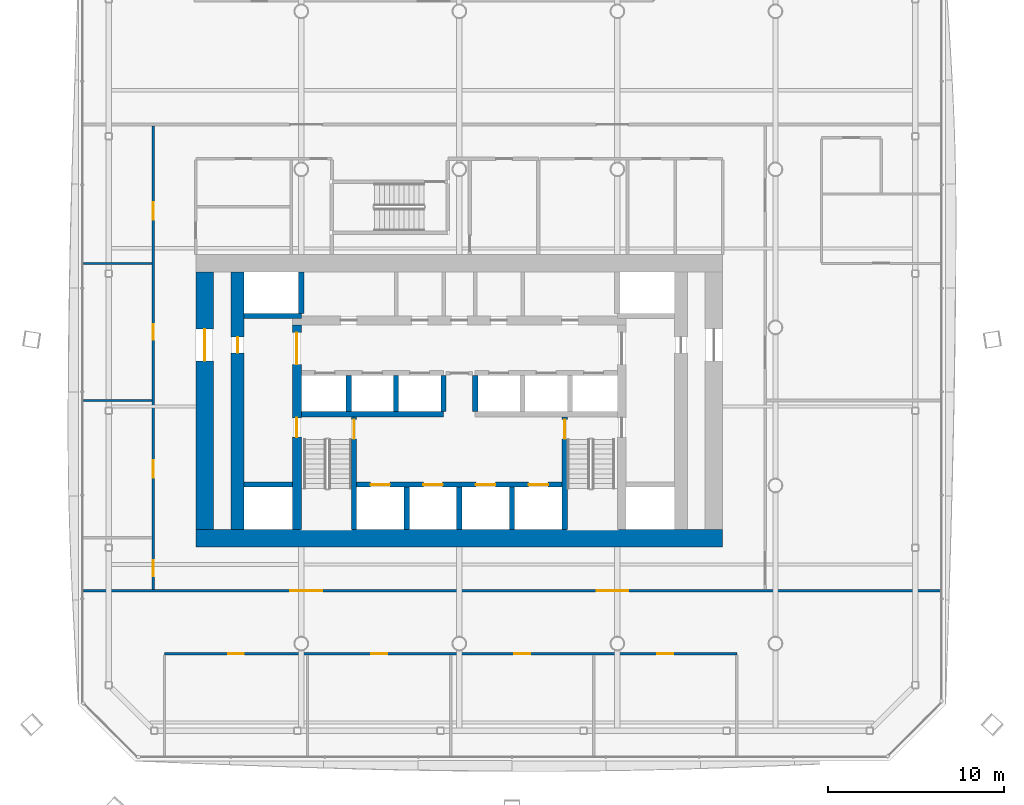
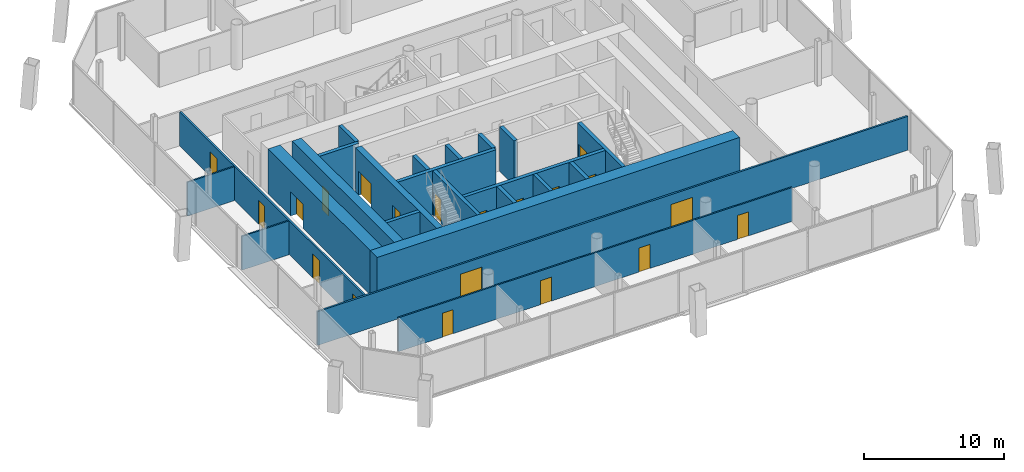
# One storey, part 11 of 19: 23 walls, 20 doors, 20 openings.
"""IFC4 building model written with IfcOpenShell, lengths in metres."""

import ifcopenshell
import ifcopenshell.guid

model = None  # the IFC model being written
_history = None  # IfcOwnerHistory: only IFC2X3 demands one
_inside = {}  # id of a spatial element -> (the spatial element, [elements in it])
_under = {}  # id of a project, library or spatial element -> (it, [spatial elements below it])
_declared = {}  # id of a project -> (the project, [libraries it declares])
_typed = {}  # id of a type object -> (the type object, [elements of that type])
_made_of = {}  # id of a material, layer set ... -> (it, [elements and type objects made of it])


def new_model(schema):
    """Start an empty IFC model of exactly this schema.

    Asked for "IFC4X3", IfcOpenShell would pick the latest addendum, in which some entities
    have other attributes; the version numbers below select the first issue.
    IFC2X3 requires an IfcOwnerHistory on every rooted entity: one is made here for all.
    """
    global model, _history
    if schema == "IFC4X3":
        model = ifcopenshell.file(schema_version=(4, 3, 0, 0))
    else:
        model = ifcopenshell.file(schema=schema)
    _inside.clear()
    _under.clear()
    _declared.clear()
    _typed.clear()
    _made_of.clear()
    _history = None
    if model.schema == "IFC2X3":
        org = make("IfcOrganization", Name="unknown")
        user = make(
            "IfcPersonAndOrganization",
            ThePerson=make("IfcPerson", FamilyName="unknown"),
            TheOrganization=org,
        )
        app = make(
            "IfcApplication",
            ApplicationDeveloper=org,
            Version="unknown",
            ApplicationFullName="unknown",
            ApplicationIdentifier="unknown",
        )
        _history = make(
            "IfcOwnerHistory",
            OwningUser=user,
            OwningApplication=app,
            ChangeAction="ADDED",
            CreationDate=0,
        )
    return model


def make(cls, **values):
    """One entity of the class cls with the attributes given. An attribute that is None is left unset."""
    return model.create_entity(
        cls, **{name: value for name, value in values.items() if value is not None}
    )


def rooted(cls, **values):
    """An entity with a GlobalId (a new one), such as an element, a storey or a relation."""
    return make(cls, GlobalId=ifcopenshell.guid.new(), OwnerHistory=_history, **values)


def si_unit(unit_type, name, prefix=None):
    """IfcSIUnit, for example si_unit("LENGTHUNIT", "METRE", prefix="MILLI")."""
    return make("IfcSIUnit", UnitType=unit_type, Prefix=prefix, Name=name)


def assignment(units):
    """IfcUnitAssignment: the units of a project."""
    return None if units is None else make("IfcUnitAssignment", Units=units)


def point(xyz):
    """IfcCartesianPoint."""
    return None if xyz is None else make("IfcCartesianPoint", Coordinates=xyz)


def direction(xyz):
    """IfcDirection."""
    return None if xyz is None else make("IfcDirection", DirectionRatios=xyz)


def frame(location, z_axis=None, x_axis=None):
    """IfcAxis2Placement3D, a coordinate frame: its origin and axes. An axis left out is left unset."""
    return make(
        "IfcAxis2Placement3D",
        Location=point(location),
        Axis=direction(z_axis),
        RefDirection=direction(x_axis),
    )


def frame_2d(location, x_axis=None):
    """IfcAxis2Placement2D, a coordinate frame in the plane: its origin and x axis."""
    return make(
        "IfcAxis2Placement2D", Location=point(location), RefDirection=direction(x_axis)
    )


def origin():
    """The frame at (0, 0, 0) with its axes left unset."""
    return frame((0.0, 0.0, 0.0))


def place(relative_to, where):
    """IfcLocalPlacement: puts the frame where relative to a parent placement (None: the world)."""
    return make(
        "IfcLocalPlacement", PlacementRelTo=relative_to, RelativePlacement=where
    )


def context(
    kind, dimensions, precision=None, world=None, true_north=None, identifier=None
):
    """IfcGeometricRepresentationContext, for example the 3D "Model" context."""
    return make(
        "IfcGeometricRepresentationContext",
        ContextIdentifier=identifier,
        ContextType=kind,
        CoordinateSpaceDimension=dimensions,
        Precision=precision,
        WorldCoordinateSystem=world,
        TrueNorth=true_north,
    )


def subcontext(parent, identifier, kind, view, scale=None):
    """IfcGeometricRepresentationSubContext, for example "Body" below "Model"."""
    return make(
        "IfcGeometricRepresentationSubContext",
        ContextIdentifier=identifier,
        ContextType=kind,
        ParentContext=parent,
        TargetScale=scale,
        TargetView=view,
    )


def project(units=None, contexts=None):
    """IfcProject with its units and contexts."""
    return rooted(
        "IfcProject",
        Name="project",
        RepresentationContexts=contexts,
        UnitsInContext=assignment(units),
    )


def spatial(cls, under=None, at=None, **own):
    """A site, building, storey or space (cls), placed at a placement, below another one or the project."""
    s = rooted(cls, ObjectPlacement=at, **own)
    if under is not None:
        _under.setdefault(under.id(), (under, []))[1].append(s)
    return s


def profile(cls, at=None, kind="AREA", **sizes):
    """A parametric profile (cls). Its sizes go by their IFC names, for example OverallWidth=200.0."""
    return make(cls, ProfileType=kind, Position=at, **sizes)


def rectangle(**sizes):
    """IfcRectangleProfileDef."""
    return profile("IfcRectangleProfileDef", **sizes)


def extrude(swept, where, along, depth):
    """IfcExtrudedAreaSolid: the profile swept, set in the frame where, extruded along a direction by depth."""
    return make(
        "IfcExtrudedAreaSolid",
        SweptArea=swept,
        Position=where,
        ExtrudedDirection=direction(along),
        Depth=depth,
    )


def shape(context_of_items, identifier, shape_type, items):
    """IfcShapeRepresentation: the items that make up one representation, for example the "Body"."""
    return make(
        "IfcShapeRepresentation",
        ContextOfItems=context_of_items,
        RepresentationIdentifier=identifier,
        RepresentationType=shape_type,
        Items=items,
    )


def material(Name=None, Category=None):
    """IfcMaterial."""
    return make("IfcMaterial", Name=Name, Category=Category)


def layer(
    of_material, thickness, ventilated=None, Name=None, Category=None, Priority=None
):
    """IfcMaterialLayer: one layer of a wall or slab, of a material (None: an air gap)."""
    return make(
        "IfcMaterialLayer",
        Material=of_material,
        LayerThickness=thickness,
        IsVentilated=ventilated,
        Name=Name,
        Category=Category,
        Priority=Priority,
    )


def layer_set(layers, Name=None):
    """IfcMaterialLayerSet."""
    return make("IfcMaterialLayerSet", MaterialLayers=layers, LayerSetName=Name)


def made_of(thing, what):
    """Note that an element or type object is made of a material, layer set ...; save() writes the relation."""
    if what is not None:
        _made_of.setdefault(what.id(), (what, []))[1].append(thing)
    return thing


def type_object(cls, material=None, **own):
    """A type object (cls), such as IfcWallType, which elements share."""
    return made_of(rooted(cls, **own), material)


def element(
    cls,
    number,
    at=None,
    inside=None,
    cuts=None,
    type_object=None,
    material=None,
    context=None,
    identifier="Body",
    shape_type=None,
    held_by="IfcProductDefinitionShape",
    body=None,
    shapes=None,
    **own,
):
    """One element of the class cls, such as IfcWall. Its Tag is "e" and its number.

    at: its placement. inside: the storey or other place that contains it. cuts: it is an
    opening in that element (IfcRelVoidsElement). A single representation is given by context,
    identifier, shape_type and body (its items); several are given by shapes. held_by: the class
    of the entity that holds the representations. save() writes the other relations.
    """
    e = rooted(cls, Tag="e%d" % number, ObjectPlacement=at, **own)
    if body is not None:
        shapes = [shape(context, identifier, shape_type, body)]
    if shapes is not None:
        e.Representation = make(held_by, Representations=shapes)
    if inside is not None:
        _inside.setdefault(inside.id(), (inside, []))[1].append(e)
    if cuts is not None:
        rooted(
            "IfcRelVoidsElement", RelatingBuildingElement=cuts, RelatedOpeningElement=e
        )
    if type_object is not None:
        _typed.setdefault(type_object.id(), (type_object, []))[1].append(e)
    return made_of(e, material)


def fill(opening, filler):
    """IfcRelFillsElement: the door or window that sits in an opening."""
    return rooted(
        "IfcRelFillsElement",
        RelatingOpeningElement=opening,
        RelatedBuildingElement=filler,
    )


def aggregate(whole, parts):
    """IfcRelAggregates: a whole, such as a stair, and the parts it consists of."""
    return rooted("IfcRelAggregates", RelatingObject=whole, RelatedObjects=parts)


def save(model, path):
    """Write the relations noted so far, then the file.

    IfcRelAggregates (storeys below a building ...), IfcRelContainedInSpatialStructure (elements
    in a storey), IfcRelDefinesByType, IfcRelAssociatesMaterial and IfcRelDeclares: one each for
    every whole, place, type object, material and project.
    """
    for whole, parts in _under.values():
        aggregate(whole, parts)
    for where, things in _inside.values():
        rooted(
            "IfcRelContainedInSpatialStructure",
            RelatedElements=things,
            RelatingStructure=where,
        )
    for kind, things in _typed.values():
        rooted("IfcRelDefinesByType", RelatedObjects=things, RelatingType=kind)
    for what, things in _made_of.values():
        rooted("IfcRelAssociatesMaterial", RelatedObjects=things, RelatingMaterial=what)
    for by, libraries in _declared.values():
        rooted("IfcRelDeclares", RelatingContext=by, RelatedDefinitions=libraries)
    model.write(path)


model = new_model("IFC4")

# Units and contexts
model_context = context("Model", 3, precision=1e-05, world=origin(), true_north=direction((0.0, 1.0)))
body_context = subcontext(model_context, "Body", "Model", "MODEL_VIEW")
ifc_project = project(units=[si_unit("LENGTHUNIT", "METRE"), si_unit("AREAUNIT", "SQUARE_METRE"), si_unit("VOLUMEUNIT", "CUBIC_METRE"), si_unit("PLANEANGLEUNIT", "RADIAN"), si_unit("MASSUNIT", "GRAM", prefix="KILO")], contexts=[model_context])

# Site, building, storey
site_placement = place(None, origin())
site = spatial("IfcSite", under=ifc_project, at=site_placement, CompositionType="ELEMENT")
building_placement = place(site_placement, origin())
building = spatial("IfcBuilding", under=site, at=building_placement, Name="Tskaro Facet Tower", CompositionType="ELEMENT")
storey_placement = place(building_placement, frame((0.0, 0.0, 89.39990234375)))
storey = spatial("IfcBuildingStorey", under=building, at=storey_placement, Name="L21", CompositionType="ELEMENT", Elevation=89.39990234375)

# Wall
ifc_material_1 = material(Name="Concrete C60/75", Category="concrete")
ifc_layer_1 = layer(ifc_material_1, 0.300048828125, Name="Concrete C60/75")
ifc_layer_set_1 = layer_set([ifc_layer_1], Name="Concrete C60/75")
wall_type_1 = type_object("IfcWallType", Name="CORE-SHAFT", PredefinedType="SHEAR", material=ifc_layer_set_1)
wall_1_placement = place(storey_placement, frame((-12.25, -8.949951171875, 0.0), z_axis=(0.0, 0.0, 1.0), x_axis=(1.0, 0.0, 0.0)))
element("IfcWall", 1, at=wall_1_placement, inside=storey, type_object=wall_type_1, Name="Shaft wall W004", PredefinedType="SHEAR", context=body_context, shape_type="SweptSolid", body=[
    extrude(rectangle(XDim=2.75, YDim=0.300048828125, at=frame_2d((1.375, 0.0))), origin(), (0.0, 0.0, 1.0), 3.900146484375),
])

# Wall, openings, doors
wall_2_placement = place(storey_placement, frame((-5.85009765625, -8.949951171875, 0.0), z_axis=(0.0, 0.0, 1.0), x_axis=(1.0, 0.0, 0.0)))
wall_2 = element("IfcWall", 2, at=wall_2_placement, inside=storey, type_object=wall_type_1, Name="Shaft wall W005", PredefinedType="SHEAR", context=body_context, shape_type="SweptSolid", body=[
    extrude(rectangle(XDim=11.7001953125, YDim=0.300048828125, at=frame_2d((5.85009765625, 0.0))), origin(), (0.0, 0.0, 1.0), 3.900146484375),
])
opening_1_placement = place(wall_2_placement, frame((0.800048828125, 0.0, 0.0)))
opening_1 = element("IfcOpeningElement", 3, at=opening_1_placement, cuts=wall_2, Name="Opening LD-FF1", PredefinedType="OPENING", context=body_context, shape_type="SweptSolid", body=[
    extrude(rectangle(XDim=1.10009765625, YDim=2.10009765625, at=frame_2d((0.550048828125, 1.050048828125))), frame((0.0, 0.159912109375, 0.0), z_axis=(0.0, -1.0, 0.0), x_axis=(1.0, 0.0, 0.0)), (0.0, 0.0, 1.0), 0.320068359375),
])
opening_2_placement = place(wall_2_placement, frame((3.800048828125, 0.0, 0.0)))
opening_2 = element("IfcOpeningElement", 4, at=opening_2_placement, cuts=wall_2, Name="Opening LD-FF2", PredefinedType="OPENING", context=body_context, shape_type="SweptSolid", body=[
    extrude(rectangle(XDim=1.10009765625, YDim=2.10009765625, at=frame_2d((0.550048828125, 1.050048828125))), frame((0.0, 0.159912109375, 0.0), z_axis=(0.0, -1.0, 0.0), x_axis=(1.0, 0.0, 0.0)), (0.0, 0.0, 1.0), 0.320068359375),
])
opening_3_placement = place(wall_2_placement, frame((6.800048828125, 0.0, 0.0)))
opening_3 = element("IfcOpeningElement", 5, at=opening_3_placement, cuts=wall_2, Name="Opening LD-SV1", PredefinedType="OPENING", context=body_context, shape_type="SweptSolid", body=[
    extrude(rectangle(XDim=1.10009765625, YDim=2.10009765625, at=frame_2d((0.550048828125, 1.050048828125))), frame((0.0, 0.159912109375, 0.0), z_axis=(0.0, -1.0, 0.0), x_axis=(1.0, 0.0, 0.0)), (0.0, 0.0, 1.0), 0.320068359375),
])
opening_4_placement = place(wall_2_placement, frame((9.800048828125, 0.0, 0.0)))
opening_4 = element("IfcOpeningElement", 6, at=opening_4_placement, cuts=wall_2, Name="Opening LD-SV2", PredefinedType="OPENING", context=body_context, shape_type="SweptSolid", body=[
    extrude(rectangle(XDim=1.10009765625, YDim=2.10009765625, at=frame_2d((0.550048828125, 1.050048828125))), frame((0.0, 0.159912109375, 0.0), z_axis=(0.0, -1.0, 0.0), x_axis=(1.0, 0.0, 0.0)), (0.0, 0.0, 1.0), 0.320068359375),
])
ifc_material_2 = material(Name="Stainless steel", Category="steel")
door_type_1 = type_object("IfcDoorType", Name="D-LANDING", OperationType="NOTDEFINED", PredefinedType="DOOR", material=ifc_material_2)
door_1_placement = place(opening_1_placement, origin())
door_1 = element("IfcDoor", 7, at=door_1_placement, inside=storey, type_object=door_type_1, Name="Landing door FF1", OperationType="DOUBLE_DOOR_SLIDING", OverallHeight=2.10009765625, OverallWidth=1.10009765625, PredefinedType="DOOR", context=body_context, shape_type="SweptSolid", body=[
    extrude(rectangle(XDim=1.10009765625, YDim=2.10009765625, at=frame_2d((0.550048828125, 1.050048828125))), frame((0.0, 0.02490234375, 0.0), z_axis=(0.0, -1.0, 0.0), x_axis=(1.0, 0.0, 0.0)), (0.0, 0.0, 1.0), 0.050048828125),
])
fill(opening_1, door_1)
door_2_placement = place(opening_2_placement, origin())
door_2 = element("IfcDoor", 8, at=door_2_placement, inside=storey, type_object=door_type_1, Name="Landing door FF2", OperationType="DOUBLE_DOOR_SLIDING", OverallHeight=2.10009765625, OverallWidth=1.10009765625, PredefinedType="DOOR", context=body_context, shape_type="SweptSolid", body=[
    extrude(rectangle(XDim=1.10009765625, YDim=2.10009765625, at=frame_2d((0.550048828125, 1.050048828125))), frame((0.0, 0.02490234375, 0.0), z_axis=(0.0, -1.0, 0.0), x_axis=(1.0, 0.0, 0.0)), (0.0, 0.0, 1.0), 0.050048828125),
])
fill(opening_2, door_2)
door_3_placement = place(opening_3_placement, origin())
door_3 = element("IfcDoor", 9, at=door_3_placement, inside=storey, type_object=door_type_1, Name="Landing door SV1", OperationType="DOUBLE_DOOR_SLIDING", OverallHeight=2.10009765625, OverallWidth=1.10009765625, PredefinedType="DOOR", context=body_context, shape_type="SweptSolid", body=[
    extrude(rectangle(XDim=1.10009765625, YDim=2.10009765625, at=frame_2d((0.550048828125, 1.050048828125))), frame((0.0, 0.02490234375, 0.0), z_axis=(0.0, -1.0, 0.0), x_axis=(1.0, 0.0, 0.0)), (0.0, 0.0, 1.0), 0.050048828125),
])
fill(opening_3, door_3)
door_4_placement = place(opening_4_placement, origin())
door_4 = element("IfcDoor", 10, at=door_4_placement, inside=storey, type_object=door_type_1, Name="Landing door SV2", OperationType="DOUBLE_DOOR_SLIDING", OverallHeight=2.10009765625, OverallWidth=1.10009765625, PredefinedType="DOOR", context=body_context, shape_type="SweptSolid", body=[
    extrude(rectangle(XDim=1.10009765625, YDim=2.10009765625, at=frame_2d((0.550048828125, 1.050048828125))), frame((0.0, 0.02490234375, 0.0), z_axis=(0.0, -1.0, 0.0), x_axis=(1.0, 0.0, 0.0)), (0.0, 0.0, 1.0), 0.050048828125),
])
fill(opening_4, door_4)

# Walls
wall_3_placement = place(storey_placement, frame((-9.0, -4.949951171875, 0.0), z_axis=(0.0, 0.0, 1.0), x_axis=(1.0, 0.0, 0.0)))
element("IfcWall", 11, at=wall_3_placement, inside=storey, type_object=wall_type_1, Name="Shaft wall W007", PredefinedType="SHEAR", context=body_context, shape_type="SweptSolid", body=[
    extrude(rectangle(XDim=8.10009765625, YDim=0.300048828125, at=frame_2d((4.050048828125, 0.0))), origin(), (0.0, 0.0, 1.0), 3.900146484375),
])
wall_4_placement = place(storey_placement, frame((-9.0, 0.64990234375, 0.0), z_axis=(0.0, 0.0, 1.0), x_axis=(-1.0, 0.0, 0.0)))
element("IfcWall", 12, at=wall_4_placement, inside=storey, type_object=wall_type_1, Name="Shaft wall W014", PredefinedType="SHEAR", context=body_context, shape_type="SweptSolid", body=[
    extrude(rectangle(XDim=3.25, YDim=0.300048828125, at=frame_2d((1.625, 0.0))), origin(), (0.0, 0.0, 1.0), 3.900146484375),
])
wall_5_placement = place(storey_placement, frame((-9.0, 0.800048828125, 0.0), z_axis=(0.0, 0.0, 1.0), x_axis=(0.0, 1.0, 0.0)))
element("IfcWall", 13, at=wall_5_placement, inside=storey, type_object=wall_type_1, Name="Shaft wall W033", PredefinedType="SHEAR", context=body_context, shape_type="SweptSolid", body=[
    extrude(rectangle(XDim=2.349853515625, YDim=0.300048828125, at=frame_2d((1.1748046875, 0.0))), origin(), (0.0, 0.0, 1.0), 3.900146484375),
])
wall_6_placement = place(storey_placement, frame((-6.300048828125, -4.800048828125, 0.0), z_axis=(0.0, 0.0, 1.0), x_axis=(0.0, 1.0, 0.0)))
element("IfcWall", 14, at=wall_6_placement, inside=storey, type_object=wall_type_1, Name="Shaft wall W039", PredefinedType="SHEAR", context=body_context, shape_type="SweptSolid", body=[
    extrude(rectangle(XDim=2.050048828125, YDim=0.300048828125, at=frame_2d((1.02490234375, 0.0))), origin(), (0.0, 0.0, 1.0), 3.900146484375),
])

# Wall, opening, door
wall_7_placement = place(storey_placement, frame((-6.0, -11.5, 0.0), z_axis=(0.0, 0.0, 1.0), x_axis=(0.0, 1.0, 0.0)))
wall_7 = element("IfcWall", 15, at=wall_7_placement, inside=storey, type_object=wall_type_1, Name="Shaft wall W040", PredefinedType="SHEAR", context=body_context, shape_type="SweptSolid", body=[
    extrude(rectangle(XDim=6.39990234375, YDim=0.300048828125, at=frame_2d((3.199951171875, 0.0))), origin(), (0.0, 0.0, 1.0), 3.900146484375),
])
opening_5_placement = place(wall_7_placement, frame((5.14990234375, 0.0, 0.0)))
opening_5 = element("IfcOpeningElement", 16, at=opening_5_placement, cuts=wall_7, Name="Opening ST-1-D1", PredefinedType="OPENING", context=body_context, shape_type="SweptSolid", body=[
    extrude(rectangle(XDim=1.10009765625, YDim=2.10009765625, at=frame_2d((0.550048828125, 1.050048828125))), frame((0.0, 0.159912109375, 0.0), z_axis=(0.0, -1.0, 0.0), x_axis=(1.0, 0.0, 0.0)), (0.0, 0.0, 1.0), 0.320068359375),
])
ifc_material_3 = material(Name="Steel", Category="steel")
door_type_2 = type_object("IfcDoorType", Name="D-STAIR", OperationType="NOTDEFINED", PredefinedType="DOOR", material=ifc_material_3)
door_5_placement = place(opening_5_placement, origin())
door_5 = element("IfcDoor", 17, at=door_5_placement, inside=storey, type_object=door_type_2, Name="Stair door 1", OperationType="SINGLE_SWING_LEFT", OverallHeight=2.10009765625, OverallWidth=1.10009765625, PredefinedType="DOOR", context=body_context, shape_type="SweptSolid", body=[
    extrude(rectangle(XDim=1.10009765625, YDim=2.10009765625, at=frame_2d((0.550048828125, 1.050048828125))), frame((0.0, 0.02490234375, 0.0), z_axis=(0.0, -1.0, 0.0), x_axis=(1.0, 0.0, 0.0)), (0.0, 0.0, 1.0), 0.050048828125),
])
fill(opening_5, door_5)

# Walls
wall_8_placement = place(storey_placement, frame((-3.60009765625, -4.800048828125, 0.0), z_axis=(0.0, 0.0, 1.0), x_axis=(0.0, 1.0, 0.0)))
element("IfcWall", 18, at=wall_8_placement, inside=storey, type_object=wall_type_1, Name="Shaft wall W041", PredefinedType="SHEAR", context=body_context, shape_type="SweptSolid", body=[
    extrude(rectangle(XDim=2.050048828125, YDim=0.300048828125, at=frame_2d((1.02490234375, 0.0))), origin(), (0.0, 0.0, 1.0), 3.900146484375),
])
wall_9_placement = place(storey_placement, frame((-3.0, -11.5, 0.0), z_axis=(0.0, 0.0, 1.0), x_axis=(0.0, 1.0, 0.0)))
element("IfcWall", 19, at=wall_9_placement, inside=storey, type_object=wall_type_1, Name="Shaft wall W043", PredefinedType="SHEAR", context=body_context, shape_type="SweptSolid", body=[
    extrude(rectangle(XDim=2.39990234375, YDim=0.300048828125, at=frame_2d((1.199951171875, 0.0))), origin(), (0.0, 0.0, 1.0), 3.900146484375),
])
wall_10_placement = place(storey_placement, frame((-0.89990234375, -4.800048828125, 0.0), z_axis=(0.0, 0.0, 1.0), x_axis=(0.0, 1.0, 0.0)))
element("IfcWall", 20, at=wall_10_placement, inside=storey, type_object=wall_type_1, Name="Shaft wall W044", PredefinedType="SHEAR", context=body_context, shape_type="SweptSolid", body=[
    extrude(rectangle(XDim=2.050048828125, YDim=0.300048828125, at=frame_2d((1.02490234375, 0.0))), origin(), (0.0, 0.0, 1.0), 3.900146484375),
])
wall_11_placement = place(storey_placement, frame((0.0, -11.5, 0.0), z_axis=(0.0, 0.0, 1.0), x_axis=(0.0, 1.0, 0.0)))
element("IfcWall", 21, at=wall_11_placement, inside=storey, type_object=wall_type_1, Name="Shaft wall W049", PredefinedType="SHEAR", context=body_context, shape_type="SweptSolid", body=[
    extrude(rectangle(XDim=2.39990234375, YDim=0.300048828125, at=frame_2d((1.199951171875, 0.0))), origin(), (0.0, 0.0, 1.0), 3.900146484375),
])
wall_12_placement = place(storey_placement, frame((0.89990234375, -4.800048828125, 0.0), z_axis=(0.0, 0.0, 1.0), x_axis=(0.0, 1.0, 0.0)))
element("IfcWall", 22, at=wall_12_placement, inside=storey, type_object=wall_type_1, Name="Shaft wall W051", PredefinedType="SHEAR", context=body_context, shape_type="SweptSolid", body=[
    extrude(rectangle(XDim=2.050048828125, YDim=0.300048828125, at=frame_2d((1.02490234375, 0.0))), origin(), (0.0, 0.0, 1.0), 3.900146484375),
])
wall_13_placement = place(storey_placement, frame((3.0, -11.5, 0.0), z_axis=(0.0, 0.0, 1.0), x_axis=(0.0, 1.0, 0.0)))
element("IfcWall", 23, at=wall_13_placement, inside=storey, type_object=wall_type_1, Name="Shaft wall W053", PredefinedType="SHEAR", context=body_context, shape_type="SweptSolid", body=[
    extrude(rectangle(XDim=2.39990234375, YDim=0.300048828125, at=frame_2d((1.199951171875, 0.0))), origin(), (0.0, 0.0, 1.0), 3.900146484375),
])

# Wall, opening, door
wall_14_placement = place(storey_placement, frame((6.0, -5.10009765625, 0.0), z_axis=(0.0, 0.0, 1.0), x_axis=(0.0, -1.0, 0.0)))
wall_14 = element("IfcWall", 24, at=wall_14_placement, inside=storey, type_object=wall_type_1, Name="Shaft wall W057", PredefinedType="SHEAR", context=body_context, shape_type="SweptSolid", body=[
    extrude(rectangle(XDim=6.39990234375, YDim=0.300048828125, at=frame_2d((3.199951171875, 0.0))), origin(), (0.0, 0.0, 1.0), 3.900146484375),
])
opening_6_placement = place(wall_14_placement, frame((0.14990234375, 0.0, 0.0)))
opening_6 = element("IfcOpeningElement", 25, at=opening_6_placement, cuts=wall_14, Name="Opening ST-2-D1", PredefinedType="OPENING", context=body_context, shape_type="SweptSolid", body=[
    extrude(rectangle(XDim=1.10009765625, YDim=2.10009765625, at=frame_2d((0.550048828125, 1.050048828125))), frame((0.0, 0.159912109375, 0.0), z_axis=(0.0, -1.0, 0.0), x_axis=(1.0, 0.0, 0.0)), (0.0, 0.0, 1.0), 0.320068359375),
])
door_6_placement = place(opening_6_placement, origin())
door_6 = element("IfcDoor", 26, at=door_6_placement, inside=storey, type_object=door_type_2, Name="Stair door 2", OperationType="SINGLE_SWING_RIGHT", OverallHeight=2.10009765625, OverallWidth=1.10009765625, PredefinedType="DOOR", context=body_context, shape_type="SweptSolid", body=[
    extrude(rectangle(XDim=1.10009765625, YDim=2.10009765625, at=frame_2d((0.550048828125, 1.050048828125))), frame((0.0, 0.02490234375, 0.0), z_axis=(0.0, -1.0, 0.0), x_axis=(1.0, 0.0, 0.0)), (0.0, 0.0, 1.0), 0.050048828125),
])
fill(opening_6, door_6)

# Wall
ifc_layer_2 = layer(ifc_material_1, 1.0, Name="Concrete C60/75")
ifc_layer_set_2 = layer_set([ifc_layer_2], Name="Concrete C60/75")
wall_type_2 = type_object("IfcWallType", Name="Core wall 1000", PredefinedType="SHEAR", material=ifc_layer_set_2)
wall_15_placement = place(storey_placement, frame((-15.0, -12.0, 0.0), z_axis=(0.0, 0.0, 1.0), x_axis=(1.0, 0.0, 0.0)))
element("IfcWall", 27, at=wall_15_placement, inside=storey, type_object=wall_type_2, Name="Core wall CW-Z1S", PredefinedType="SHEAR", context=body_context, shape_type="SweptSolid", body=[
    extrude(rectangle(XDim=30.0, YDim=1.0, at=frame_2d((15.0, 0.0))), origin(), (0.0, 0.0, 1.0), 3.900146484375),
])

# Wall, opening, door
wall_16_placement = place(storey_placement, frame((-14.5, -11.5, 0.0), z_axis=(0.0, 0.0, 1.0), x_axis=(0.0, 1.0, 0.0)))
wall_16 = element("IfcWall", 28, at=wall_16_placement, inside=storey, type_object=wall_type_2, Name="Core wall CW-Z1W", PredefinedType="SHEAR", context=body_context, shape_type="SweptSolid", body=[
    extrude(rectangle(XDim=14.64990234375, YDim=1.0, at=frame_2d((7.324951171875, 0.0))), origin(), (0.0, 0.0, 1.0), 3.900146484375),
])
opening_7_placement = place(wall_16_placement, frame((9.60009765625, 0.0, 0.0)))
opening_7 = element("IfcOpeningElement", 29, at=opening_7_placement, cuts=wall_16, Name="Opening T6-D15", PredefinedType="OPENING", context=body_context, shape_type="SweptSolid", body=[
    extrude(rectangle(XDim=1.800048828125, YDim=2.10009765625, at=frame_2d((0.89990234375, 1.050048828125))), frame((0.0, 0.510009765625, 0.0), z_axis=(0.0, -1.0, 0.0), x_axis=(1.0, 0.0, 0.0)), (0.0, 0.0, 1.0), 1.02001953125),
])
door_type_3 = type_object("IfcDoorType", Name="D-CORE-PAIR", OperationType="NOTDEFINED", PredefinedType="DOOR", material=ifc_material_3)
door_7_placement = place(opening_7_placement, origin())
door_7 = element("IfcDoor", 30, at=door_7_placement, inside=storey, type_object=door_type_3, Name="Door T6-D15", OperationType="DOUBLE_DOOR_SINGLE_SWING", OverallHeight=2.10009765625, OverallWidth=1.800048828125, PredefinedType="DOOR", context=body_context, shape_type="SweptSolid", body=[
    extrude(rectangle(XDim=1.800048828125, YDim=2.10009765625, at=frame_2d((0.89990234375, 1.050048828125))), frame((0.0, 0.02490234375, 0.0), z_axis=(0.0, -1.0, 0.0), x_axis=(1.0, 0.0, 0.0)), (0.0, 0.0, 1.0), 0.050048828125),
])
fill(opening_7, door_7)

# Wall, openings, doors
ifc_material_4 = material(Name="Concrete C40/50", Category="concrete")
ifc_layer_3 = layer(ifc_material_4, 0.5, Name="Concrete C40/50")
ifc_layer_set_3 = layer_set([ifc_layer_3], Name="Concrete C40/50")
wall_type_3 = type_object("IfcWallType", Name="Core wall 500", PredefinedType="SHEAR", material=ifc_layer_set_3)
wall_17_placement = place(storey_placement, frame((-9.25, -11.5, 0.0), z_axis=(0.0, 0.0, 1.0), x_axis=(0.0, 1.0, 0.0)))
wall_17 = element("IfcWall", 31, at=wall_17_placement, inside=storey, type_object=wall_type_3, Name="Core wall CW-Z3W", PredefinedType="SHEAR", context=body_context, shape_type="SweptSolid", body=[
    extrude(rectangle(XDim=11.64990234375, YDim=0.5, at=frame_2d((5.824951171875, 0.0))), origin(), (0.0, 0.0, 1.0), 3.900146484375),
])
opening_8_placement = place(wall_17_placement, frame((9.39990234375, 0.0, 0.0)))
opening_8 = element("IfcOpeningElement", 32, at=opening_8_placement, cuts=wall_17, Name="Opening T6-D13", PredefinedType="OPENING", context=body_context, shape_type="SweptSolid", body=[
    extrude(rectangle(XDim=1.800048828125, YDim=2.10009765625, at=frame_2d((0.89990234375, 1.050048828125))), frame((0.0, 0.260009765625, 0.0), z_axis=(0.0, -1.0, 0.0), x_axis=(1.0, 0.0, 0.0)), (0.0, 0.0, 1.0), 0.52001953125),
])
opening_9_placement = place(wall_17_placement, frame((5.25, 0.0, 0.0)))
opening_9 = element("IfcOpeningElement", 33, at=opening_9_placement, cuts=wall_17, Name="Opening ST-1-D2", PredefinedType="OPENING", context=body_context, shape_type="SweptSolid", body=[
    extrude(rectangle(XDim=1.10009765625, YDim=2.10009765625, at=frame_2d((0.550048828125, 1.050048828125))), frame((0.0, 0.260009765625, 0.0), z_axis=(0.0, -1.0, 0.0), x_axis=(1.0, 0.0, 0.0)), (0.0, 0.0, 1.0), 0.52001953125),
])
door_8_placement = place(opening_8_placement, origin())
door_8 = element("IfcDoor", 34, at=door_8_placement, inside=storey, type_object=door_type_3, Name="Door T6-D13", OperationType="DOUBLE_DOOR_SINGLE_SWING", OverallHeight=2.10009765625, OverallWidth=1.800048828125, PredefinedType="DOOR", context=body_context, shape_type="SweptSolid", body=[
    extrude(rectangle(XDim=1.800048828125, YDim=2.10009765625, at=frame_2d((0.89990234375, 1.050048828125))), frame((0.0, 0.02490234375, 0.0), z_axis=(0.0, -1.0, 0.0), x_axis=(1.0, 0.0, 0.0)), (0.0, 0.0, 1.0), 0.050048828125),
])
fill(opening_8, door_8)
door_9_placement = place(opening_9_placement, origin())
door_9 = element("IfcDoor", 35, at=door_9_placement, inside=storey, type_object=door_type_2, Name="Stair door 1 west", OperationType="SINGLE_SWING_LEFT", OverallHeight=2.10009765625, OverallWidth=1.10009765625, PredefinedType="DOOR", context=body_context, shape_type="SweptSolid", body=[
    extrude(rectangle(XDim=1.10009765625, YDim=2.10009765625, at=frame_2d((0.550048828125, 1.050048828125))), frame((0.0, 0.02490234375, 0.0), z_axis=(0.0, -1.0, 0.0), x_axis=(1.0, 0.0, 0.0)), (0.0, 0.0, 1.0), 0.050048828125),
])
fill(opening_9, door_9)

# Wall, opening, door
ifc_material_5 = material(Name="Concrete C50/60", Category="concrete")
ifc_layer_4 = layer(ifc_material_5, 0.75, Name="Concrete C50/60")
ifc_layer_set_4 = layer_set([ifc_layer_4], Name="Concrete C50/60")
wall_type_4 = type_object("IfcWallType", Name="Core wall 750", PredefinedType="SHEAR", material=ifc_layer_set_4)
wall_18_placement = place(storey_placement, frame((-12.625, -11.5, 0.0), z_axis=(0.0, 0.0, 1.0), x_axis=(0.0, 1.0, 0.0)))
wall_18 = element("IfcWall", 36, at=wall_18_placement, inside=storey, type_object=wall_type_4, Name="Core wall CW-Z2W", PredefinedType="SHEAR", context=body_context, shape_type="SweptSolid", body=[
    extrude(rectangle(XDim=14.64990234375, YDim=0.75, at=frame_2d((7.324951171875, 0.0))), origin(), (0.0, 0.0, 1.0), 3.900146484375),
])
opening_10_placement = place(wall_18_placement, frame((10.050048828125, 0.0, 0.0)))
opening_10 = element("IfcOpeningElement", 37, at=opening_10_placement, cuts=wall_18, Name="Opening T6-D16", PredefinedType="OPENING", context=body_context, shape_type="SweptSolid", body=[
    extrude(rectangle(XDim=0.89990234375, YDim=2.10009765625, at=frame_2d((0.449951171875, 1.050048828125))), frame((0.0, 0.385009765625, 0.0), z_axis=(0.0, -1.0, 0.0), x_axis=(1.0, 0.0, 0.0)), (0.0, 0.0, 1.0), 0.77001953125),
])
ifc_material_6 = material(Name="Timber", Category="wood")
door_type_4 = type_object("IfcDoorType", Name="D-ROOM", OperationType="NOTDEFINED", PredefinedType="DOOR", material=ifc_material_6)
door_10_placement = place(opening_10_placement, origin())
door_10 = element("IfcDoor", 38, at=door_10_placement, inside=storey, type_object=door_type_4, Name="Door T6-D16", OperationType="SINGLE_SWING_LEFT", OverallHeight=2.10009765625, OverallWidth=0.89990234375, PredefinedType="DOOR", context=body_context, shape_type="SweptSolid", body=[
    extrude(rectangle(XDim=0.89990234375, YDim=2.10009765625, at=frame_2d((0.449951171875, 1.050048828125))), frame((0.0, 0.02490234375, 0.0), z_axis=(0.0, -1.0, 0.0), x_axis=(1.0, 0.0, 0.0)), (0.0, 0.0, 1.0), 0.050048828125),
])
fill(opening_10, door_10)

# Wall, openings, doors
ifc_material_7 = material(Name="Gypsum board on steel studs", Category="steel")
ifc_layer_5 = layer(ifc_material_7, 0.125, Name="Gypsum board on steel studs")
ifc_layer_set_5 = layer_set([ifc_layer_5], Name="Gypsum board on steel studs")
wall_type_5 = type_object("IfcWallType", Name="PART", PredefinedType="PARTITIONING", material=ifc_layer_set_5)
wall_19_placement = place(storey_placement, frame((15.798095703125, -18.580078125, 0.0), z_axis=(0.0, 0.0, 1.0), x_axis=(-1.0, 0.0, 0.0)))
wall_19 = element("IfcWall", 39, at=wall_19_placement, inside=storey, type_object=wall_type_5, Name="Partition W001", PredefinedType="PARTITIONING", context=body_context, shape_type="SweptSolid", body=[
    extrude(rectangle(XDim=32.58203125, YDim=0.125, at=frame_2d((16.291015625, 0.0))), origin(), (0.0, 0.0, 1.0), 2.960205078125),
])
opening_11_placement = place(wall_19_placement, frame((28.05908203125, 0.0, 0.0)))
opening_11 = element("IfcOpeningElement", 40, at=opening_11_placement, cuts=wall_19, Name="Opening T6-D01", PredefinedType="OPENING", context=body_context, shape_type="SweptSolid", body=[
    extrude(rectangle(XDim=0.89990234375, YDim=2.10009765625, at=frame_2d((0.449951171875, 1.050048828125))), frame((0.0, 0.072509765625, 0.0), z_axis=(0.0, -1.0, 0.0), x_axis=(1.0, 0.0, 0.0)), (0.0, 0.0, 1.0), 0.14501953125),
])
opening_12_placement = place(wall_19_placement, frame((19.91357421875, 0.0, 0.0)))
opening_12 = element("IfcOpeningElement", 41, at=opening_12_placement, cuts=wall_19, Name="Opening T6-D02", PredefinedType="OPENING", context=body_context, shape_type="SweptSolid", body=[
    extrude(rectangle(XDim=0.89990234375, YDim=2.10009765625, at=frame_2d((0.449951171875, 1.050048828125))), frame((0.0, 0.072509765625, 0.0), z_axis=(0.0, -1.0, 0.0), x_axis=(1.0, 0.0, 0.0)), (0.0, 0.0, 1.0), 0.14501953125),
])
opening_13_placement = place(wall_19_placement, frame((11.76806640625, 0.0, 0.0)))
opening_13 = element("IfcOpeningElement", 42, at=opening_13_placement, cuts=wall_19, Name="Opening T6-D03", PredefinedType="OPENING", context=body_context, shape_type="SweptSolid", body=[
    extrude(rectangle(XDim=0.89990234375, YDim=2.10009765625, at=frame_2d((0.449951171875, 1.050048828125))), frame((0.0, 0.072509765625, 0.0), z_axis=(0.0, -1.0, 0.0), x_axis=(1.0, 0.0, 0.0)), (0.0, 0.0, 1.0), 0.14501953125),
])
opening_14_placement = place(wall_19_placement, frame((3.62255859375, 0.0, 0.0)))
opening_14 = element("IfcOpeningElement", 43, at=opening_14_placement, cuts=wall_19, Name="Opening T6-D04", PredefinedType="OPENING", context=body_context, shape_type="SweptSolid", body=[
    extrude(rectangle(XDim=0.89990234375, YDim=2.10009765625, at=frame_2d((0.449951171875, 1.050048828125))), frame((0.0, 0.072509765625, 0.0), z_axis=(0.0, -1.0, 0.0), x_axis=(1.0, 0.0, 0.0)), (0.0, 0.0, 1.0), 0.14501953125),
])
door_11_placement = place(opening_11_placement, origin())
door_11 = element("IfcDoor", 44, at=door_11_placement, inside=storey, type_object=door_type_4, Name="Door T6-D01", OperationType="SINGLE_SWING_RIGHT", OverallHeight=2.10009765625, OverallWidth=0.89990234375, PredefinedType="DOOR", context=body_context, shape_type="SweptSolid", body=[
    extrude(rectangle(XDim=0.89990234375, YDim=2.10009765625, at=frame_2d((0.449951171875, 1.050048828125))), frame((0.0, 0.02490234375, 0.0), z_axis=(0.0, -1.0, 0.0), x_axis=(1.0, 0.0, 0.0)), (0.0, 0.0, 1.0), 0.050048828125),
])
fill(opening_11, door_11)
door_12_placement = place(opening_12_placement, origin())
door_12 = element("IfcDoor", 45, at=door_12_placement, inside=storey, type_object=door_type_4, Name="Door T6-D02", OperationType="SINGLE_SWING_RIGHT", OverallHeight=2.10009765625, OverallWidth=0.89990234375, PredefinedType="DOOR", context=body_context, shape_type="SweptSolid", body=[
    extrude(rectangle(XDim=0.89990234375, YDim=2.10009765625, at=frame_2d((0.449951171875, 1.050048828125))), frame((0.0, 0.02490234375, 0.0), z_axis=(0.0, -1.0, 0.0), x_axis=(1.0, 0.0, 0.0)), (0.0, 0.0, 1.0), 0.050048828125),
])
fill(opening_12, door_12)
door_13_placement = place(opening_13_placement, origin())
door_13 = element("IfcDoor", 46, at=door_13_placement, inside=storey, type_object=door_type_4, Name="Door T6-D03", OperationType="SINGLE_SWING_RIGHT", OverallHeight=2.10009765625, OverallWidth=0.89990234375, PredefinedType="DOOR", context=body_context, shape_type="SweptSolid", body=[
    extrude(rectangle(XDim=0.89990234375, YDim=2.10009765625, at=frame_2d((0.449951171875, 1.050048828125))), frame((0.0, 0.02490234375, 0.0), z_axis=(0.0, -1.0, 0.0), x_axis=(1.0, 0.0, 0.0)), (0.0, 0.0, 1.0), 0.050048828125),
])
fill(opening_13, door_13)
door_14_placement = place(opening_14_placement, origin())
door_14 = element("IfcDoor", 47, at=door_14_placement, inside=storey, type_object=door_type_4, Name="Door T6-D04", OperationType="SINGLE_SWING_RIGHT", OverallHeight=2.10009765625, OverallWidth=0.89990234375, PredefinedType="DOOR", context=body_context, shape_type="SweptSolid", body=[
    extrude(rectangle(XDim=0.89990234375, YDim=2.10009765625, at=frame_2d((0.449951171875, 1.050048828125))), frame((0.0, 0.02490234375, 0.0), z_axis=(0.0, -1.0, 0.0), x_axis=(1.0, 0.0, 0.0)), (0.0, 0.0, 1.0), 0.050048828125),
])
fill(opening_14, door_14)

# Walls
for number, where, z_axis, x_axis, name in (
    (48, (-21.4130859375, -4.162109375, 0.0), (0.0, 0.0, 1.0), (1.0, 0.0, 0.0), "Partition W009"),
    (49, (-21.4130859375, 3.64794921875, 0.0), (0.0, 0.0, 1.0), (1.0, 0.0, 0.0), "Partition W016"),
):
    element("IfcWall", number, at=place(storey_placement, frame(where, z_axis=z_axis, x_axis=x_axis)), inside=storey, type_object=wall_type_5, Name=name, PredefinedType="PARTITIONING", context=body_context, shape_type="SweptSolid", body=[
        extrude(rectangle(XDim=3.9130859375, YDim=0.125, at=frame_2d((1.95654296875, 0.0))), origin(), (0.0, 0.0, 1.0), 2.960205078125),
    ])

# Wall, openings, doors
ifc_layer_6 = layer(ifc_material_7, 0.14990234375, Name="Gypsum board on steel studs")
ifc_layer_set_6 = layer_set([ifc_layer_6], Name="Gypsum board on steel studs")
wall_type_6 = type_object("IfcWallType", Name="PART-CORR", PredefinedType="PARTITIONING", material=ifc_layer_set_6)
wall_20_placement = place(storey_placement, frame((-21.4130859375, -15.0, 0.0), z_axis=(0.0, 0.0, 1.0), x_axis=(1.0, 0.0, 0.0)))
wall_20 = element("IfcWall", 50, at=wall_20_placement, inside=storey, type_object=wall_type_6, Name="Corridor wall W002", PredefinedType="PARTITIONING", context=body_context, shape_type="SweptSolid", body=[
    extrude(rectangle(XDim=48.826171875, YDim=0.14990234375, at=frame_2d((24.4130859375, 0.0))), origin(), (0.0, 0.0, 1.0), 2.960205078125),
])
opening_15_placement = place(wall_20_placement, frame((11.800048828125, 0.0, 0.0)))
opening_15 = element("IfcOpeningElement", 51, at=opening_15_placement, cuts=wall_20, Name="Opening T6-D05", PredefinedType="OPENING", context=body_context, shape_type="SweptSolid", body=[
    extrude(rectangle(XDim=1.800048828125, YDim=2.10009765625, at=frame_2d((0.89990234375, 1.050048828125))), frame((0.0, 0.0849609375, 0.0), z_axis=(0.0, -1.0, 0.0), x_axis=(1.0, 0.0, 0.0)), (0.0, 0.0, 1.0), 0.169921875),
])
opening_16_placement = place(wall_20_placement, frame((29.22607421875, 0.0, 0.0)))
opening_16 = element("IfcOpeningElement", 52, at=opening_16_placement, cuts=wall_20, Name="Opening T6-D06", PredefinedType="OPENING", context=body_context, shape_type="SweptSolid", body=[
    extrude(rectangle(XDim=1.800048828125, YDim=2.10009765625, at=frame_2d((0.89990234375, 1.050048828125))), frame((0.0, 0.0849609375, 0.0), z_axis=(0.0, -1.0, 0.0), x_axis=(1.0, 0.0, 0.0)), (0.0, 0.0, 1.0), 0.169921875),
])
ifc_material_8 = material(Name="Glass", Category="glass")
door_type_5 = type_object("IfcDoorType", Name="D-ENTRY-PAIR", OperationType="NOTDEFINED", PredefinedType="DOOR", material=ifc_material_8)
door_15_placement = place(opening_15_placement, origin())
door_15 = element("IfcDoor", 53, at=door_15_placement, inside=storey, type_object=door_type_5, Name="Door T6-D05", OperationType="DOUBLE_DOOR_SINGLE_SWING", OverallHeight=2.10009765625, OverallWidth=1.800048828125, PredefinedType="DOOR", context=body_context, shape_type="SweptSolid", body=[
    extrude(rectangle(XDim=1.800048828125, YDim=2.10009765625, at=frame_2d((0.89990234375, 1.050048828125))), frame((0.0, 0.02490234375, 0.0), z_axis=(0.0, -1.0, 0.0), x_axis=(1.0, 0.0, 0.0)), (0.0, 0.0, 1.0), 0.050048828125),
])
fill(opening_15, door_15)
door_16_placement = place(opening_16_placement, origin())
door_16 = element("IfcDoor", 54, at=door_16_placement, inside=storey, type_object=door_type_5, Name="Door T6-D06", OperationType="DOUBLE_DOOR_SINGLE_SWING", OverallHeight=2.10009765625, OverallWidth=1.800048828125, PredefinedType="DOOR", context=body_context, shape_type="SweptSolid", body=[
    extrude(rectangle(XDim=1.800048828125, YDim=2.10009765625, at=frame_2d((0.89990234375, 1.050048828125))), frame((0.0, 0.02490234375, 0.0), z_axis=(0.0, -1.0, 0.0), x_axis=(1.0, 0.0, 0.0)), (0.0, 0.0, 1.0), 0.050048828125),
])
fill(opening_16, door_16)

wall_21_placement = place(storey_placement, frame((-17.425048828125, -14.925048828125, 0.0), z_axis=(0.0, 0.0, 1.0), x_axis=(0.0, 1.0, 0.0)))
wall_21 = element("IfcWall", 55, at=wall_21_placement, inside=storey, type_object=wall_type_6, Name="Corridor wall W028", PredefinedType="PARTITIONING", context=body_context, shape_type="SweptSolid", body=[
    extrude(rectangle(XDim=26.405029296875, YDim=0.14990234375, at=frame_2d((13.20263671875, 0.0))), origin(), (0.0, 0.0, 1.0), 2.960205078125),
])
opening_17_placement = place(wall_21_placement, frame((0.762451171875, 0.0, 0.0)))
opening_17 = element("IfcOpeningElement", 56, at=opening_17_placement, cuts=wall_21, Name="Opening T6-D07", PredefinedType="OPENING", context=body_context, shape_type="SweptSolid", body=[
    extrude(rectangle(XDim=0.89990234375, YDim=2.10009765625, at=frame_2d((0.449951171875, 1.050048828125))), frame((0.0, 0.0849609375, 0.0), z_axis=(0.0, -1.0, 0.0), x_axis=(1.0, 0.0, 0.0)), (0.0, 0.0, 1.0), 0.169921875),
])
opening_18_placement = place(wall_21_placement, frame((6.357421875, 0.0, 0.0)))
opening_18 = element("IfcOpeningElement", 57, at=opening_18_placement, cuts=wall_21, Name="Opening T6-D11", PredefinedType="OPENING", context=body_context, shape_type="SweptSolid", body=[
    extrude(rectangle(XDim=1.0, YDim=2.10009765625, at=frame_2d((0.5, 1.050048828125))), frame((0.0, 0.0849609375, 0.0), z_axis=(0.0, -1.0, 0.0), x_axis=(1.0, 0.0, 0.0)), (0.0, 0.0, 1.0), 0.169921875),
])
opening_19_placement = place(wall_21_placement, frame((14.218017578125, 0.0, 0.0)))
opening_19 = element("IfcOpeningElement", 58, at=opening_19_placement, cuts=wall_21, Name="Opening T6-D19", PredefinedType="OPENING", context=body_context, shape_type="SweptSolid", body=[
    extrude(rectangle(XDim=0.89990234375, YDim=2.10009765625, at=frame_2d((0.449951171875, 1.050048828125))), frame((0.0, 0.0849609375, 0.0), z_axis=(0.0, -1.0, 0.0), x_axis=(1.0, 0.0, 0.0)), (0.0, 0.0, 1.0), 0.169921875),
])
opening_20_placement = place(wall_21_placement, frame((21.051513671875, 0.0, 0.0)))
opening_20 = element("IfcOpeningElement", 59, at=opening_20_placement, cuts=wall_21, Name="Opening T6-D30", PredefinedType="OPENING", context=body_context, shape_type="SweptSolid", body=[
    extrude(rectangle(XDim=1.0, YDim=2.10009765625, at=frame_2d((0.5, 1.050048828125))), frame((0.0, 0.0849609375, 0.0), z_axis=(0.0, -1.0, 0.0), x_axis=(1.0, 0.0, 0.0)), (0.0, 0.0, 1.0), 0.169921875),
])
door_17_placement = place(opening_17_placement, origin())
door_17 = element("IfcDoor", 60, at=door_17_placement, inside=storey, type_object=door_type_4, Name="Door T6-D07", OperationType="SINGLE_SWING_LEFT", OverallHeight=2.10009765625, OverallWidth=0.89990234375, PredefinedType="DOOR", context=body_context, shape_type="SweptSolid", body=[
    extrude(rectangle(XDim=0.89990234375, YDim=2.10009765625, at=frame_2d((0.449951171875, 1.050048828125))), frame((0.0, 0.02490234375, 0.0), z_axis=(0.0, -1.0, 0.0), x_axis=(1.0, 0.0, 0.0)), (0.0, 0.0, 1.0), 0.050048828125),
])
fill(opening_17, door_17)
door_18_placement = place(opening_19_placement, origin())
door_18 = element("IfcDoor", 61, at=door_18_placement, inside=storey, type_object=door_type_4, Name="Door T6-D19", OperationType="SINGLE_SWING_LEFT", OverallHeight=2.10009765625, OverallWidth=0.89990234375, PredefinedType="DOOR", context=body_context, shape_type="SweptSolid", body=[
    extrude(rectangle(XDim=0.89990234375, YDim=2.10009765625, at=frame_2d((0.449951171875, 1.050048828125))), frame((0.0, 0.02490234375, 0.0), z_axis=(0.0, -1.0, 0.0), x_axis=(1.0, 0.0, 0.0)), (0.0, 0.0, 1.0), 0.050048828125),
])
fill(opening_19, door_18)
door_type_6 = type_object("IfcDoorType", Name="D-ROOM-WIDE", OperationType="NOTDEFINED", PredefinedType="DOOR", material=ifc_material_6)
door_19_placement = place(opening_18_placement, origin())
door_19 = element("IfcDoor", 62, at=door_19_placement, inside=storey, type_object=door_type_6, Name="Door T6-D11", OperationType="SINGLE_SWING_LEFT", OverallHeight=2.10009765625, OverallWidth=1.0, PredefinedType="DOOR", context=body_context, shape_type="SweptSolid", body=[
    extrude(rectangle(XDim=1.0, YDim=2.10009765625, at=frame_2d((0.5, 1.050048828125))), frame((0.0, 0.02490234375, 0.0), z_axis=(0.0, -1.0, 0.0), x_axis=(1.0, 0.0, 0.0)), (0.0, 0.0, 1.0), 0.050048828125),
])
fill(opening_18, door_19)
door_20_placement = place(opening_20_placement, origin())
door_20 = element("IfcDoor", 63, at=door_20_placement, inside=storey, type_object=door_type_6, Name="Door T6-D30", OperationType="SINGLE_SWING_LEFT", OverallHeight=2.10009765625, OverallWidth=1.0, PredefinedType="DOOR", context=body_context, shape_type="SweptSolid", body=[
    extrude(rectangle(XDim=1.0, YDim=2.10009765625, at=frame_2d((0.5, 1.050048828125))), frame((0.0, 0.02490234375, 0.0), z_axis=(0.0, -1.0, 0.0), x_axis=(1.0, 0.0, 0.0)), (0.0, 0.0, 1.0), 0.050048828125),
])
fill(opening_20, door_20)

save(model, "model.ifc")
